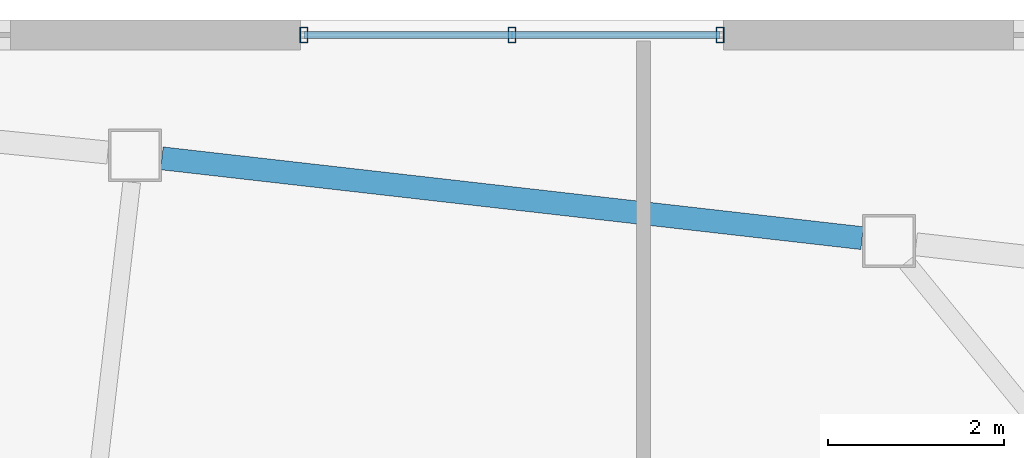
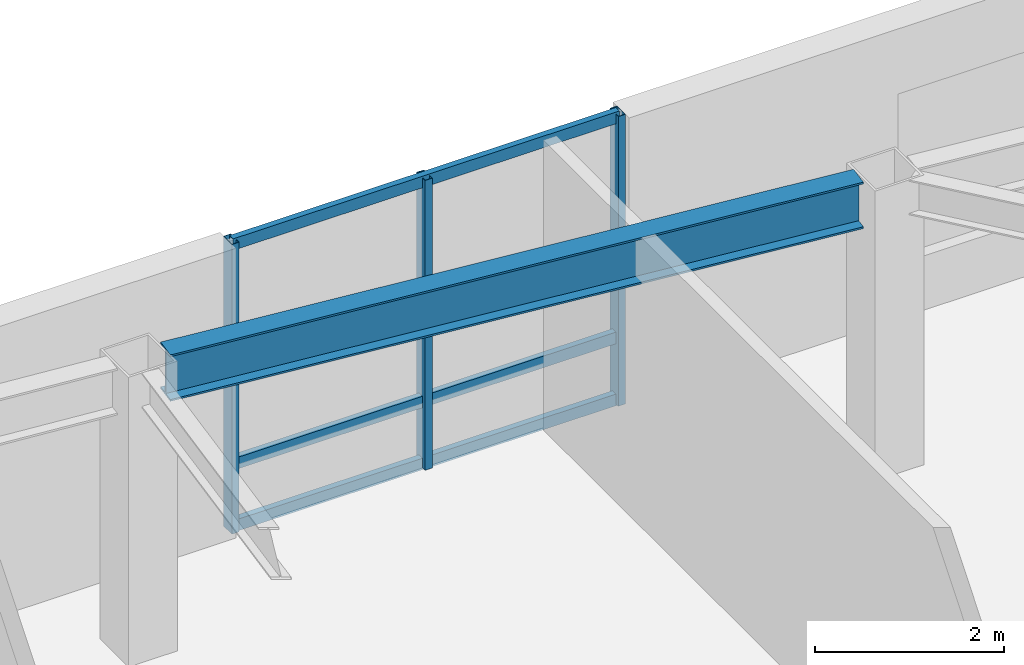
# One storey, part 8 of 18: 6 members, 1 beam, 1 element without a shape of its own.
"""IFC4 building model written with IfcOpenShell, lengths in metres."""

from ifc_helpers import new_model, si_unit, direction, frame, origin, origin_2d, place, context, subcontext, project, spatial, hollow_rectangle, i_section, extrude, material, layer, layer_set, material_profile, profile_set, type_object, element, aggregate, save


model = new_model("IFC4")

# Units and contexts
model_context = context("Model", 3, precision=1e-05, world=origin(), true_north=direction((0.0, 1.0)))
body_context = subcontext(model_context, "Body", "Model", "MODEL_VIEW")
ifc_project = project(units=[si_unit("LENGTHUNIT", "METRE"), si_unit("AREAUNIT", "SQUARE_METRE"), si_unit("VOLUMEUNIT", "CUBIC_METRE"), si_unit("PLANEANGLEUNIT", "RADIAN"), si_unit("MASSUNIT", "GRAM", prefix="KILO")], contexts=[model_context])

# Site, building, storey
site_placement = place(None, origin())
site = spatial("IfcSite", under=ifc_project, at=site_placement, CompositionType="ELEMENT")
building_placement = place(site_placement, origin())
building = spatial("IfcBuilding", under=site, at=building_placement, Name="Tavrogorsk Clinical Tower", CompositionType="ELEMENT")
storey_placement = place(building_placement, frame((0.0, 0.0, 196.199951171875)))
storey = spatial("IfcBuildingStorey", under=building, at=storey_placement, Name="L45", CompositionType="ELEMENT", Elevation=196.199951171875)

# Curtain wall, members
ifc_material_1 = material(Name="Anodised aluminium and triple IGU glazing", Category="aluminium")
ifc_layer = layer(ifc_material_1, 0.179931640625)
ifc_layer_set = layer_set([ifc_layer], Name="Anodised aluminium and triple IGU glazing")
curtain_wall_type = type_object("IfcCurtainWallType", Name="CW2_NorthSlot", PredefinedType="NOTDEFINED", material=ifc_layer_set)
curtain_wall_placement = place(storey_placement, origin())
curtain_wall = element("IfcCurtainWall", 1, at=curtain_wall_placement, inside=storey, type_object=curtain_wall_type, Name="L45 Curtain Wall CW-L45-N-SLOT-2", PredefinedType="NOTDEFINED")
ifc_material_2 = material(Name="Anodised aluminium alloy AW-6060", Category="aluminium")
ifc_material_profile_1 = material_profile(ifc_material_2, hollow_rectangle(XDim=0.090087890625, YDim=0.179931640625, WallThickness=0.00634765625, at=origin_2d()), Name="RHS-180x90x6.3")
ifc_profile_set_1 = profile_set([ifc_material_profile_1], Name="Anodised aluminium alloy AW-6060")
member_type_1 = type_object("IfcMemberType", Name="CwMullion_180x90", PredefinedType="MULLION", material=ifc_profile_set_1)
member_1_placement = place(storey_placement, frame((13.26904296875, 26.929931640625, 0.0), z_axis=(0.0, 0.0, 1.0), x_axis=(-1.0, 0.0, 0.0)))
member_1 = element("IfcMember", 2, at=member_1_placement, type_object=member_type_1, Name="CW-L45-N-SLOT-2 Mullion 1", PredefinedType="MULLION", context=body_context, shape_type="SweptSolid", body=[
    extrude(hollow_rectangle(XDim=0.090087890625, YDim=0.179931640625, WallThickness=0.00634765625, at=origin_2d()), origin(), (0.0, 0.0, 1.0), 3.739990234375),
])
member_2_placement = place(storey_placement, frame((10.91015625, 26.929931640625, 0.0), z_axis=(0.0, 0.0, 1.0), x_axis=(-1.0, 0.0, 0.0)))
member_2 = element("IfcMember", 3, at=member_2_placement, type_object=member_type_1, Name="CW-L45-N-SLOT-2 Mullion 2", PredefinedType="MULLION", context=body_context, shape_type="SweptSolid", body=[
    extrude(hollow_rectangle(XDim=0.090087890625, YDim=0.179931640625, WallThickness=0.00634765625, at=origin_2d()), origin(), (0.0, 0.0, 1.0), 3.739990234375),
])
member_3_placement = place(storey_placement, frame((8.551025390625, 26.929931640625, 0.0), z_axis=(0.0, 0.0, 1.0), x_axis=(-1.0, 0.0, 0.0)))
member_3 = element("IfcMember", 4, at=member_3_placement, type_object=member_type_1, Name="CW-L45-N-SLOT-2 Mullion 3", PredefinedType="MULLION", context=body_context, shape_type="SweptSolid", body=[
    extrude(hollow_rectangle(XDim=0.090087890625, YDim=0.179931640625, WallThickness=0.00634765625, at=origin_2d()), origin(), (0.0, 0.0, 1.0), 3.739990234375),
])
ifc_material_3 = material(Name="Anodised aluminium alloy AW-6060", Category="aluminium")
ifc_material_profile_2 = material_profile(ifc_material_3, hollow_rectangle(XDim=0.074951171875, YDim=0.14990234375, WallThickness=0.0048828125, at=origin_2d()), Name="RHS-150x75x5")
ifc_profile_set_2 = profile_set([ifc_material_profile_2], Name="Anodised aluminium alloy AW-6060")
member_type_2 = type_object("IfcMemberType", Name="CwTransom_150x75", PredefinedType="USERDEFINED", material=ifc_profile_set_2)
member_4_placement = place(storey_placement, frame((13.26904296875, 26.929931640625, 0.050048828125), z_axis=(-1.0, 0.0, 0.0), x_axis=(0.0, -1.0, 0.0)))
member_4 = element("IfcMember", 5, at=member_4_placement, type_object=member_type_2, Name="CW-L45-N-SLOT-2 Transom 1", ObjectType="TRANSOM", PredefinedType="USERDEFINED", context=body_context, shape_type="SweptSolid", body=[
    extrude(hollow_rectangle(XDim=0.074951171875, YDim=0.14990234375, WallThickness=0.0048828125, at=origin_2d()), origin(), (0.0, 0.0, 1.0), 4.718017578125),
])
member_5_placement = place(storey_placement, frame((13.26904296875, 26.929931640625, 0.85009765625), z_axis=(-1.0, 0.0, 0.0), x_axis=(0.0, -1.0, 0.0)))
member_5 = element("IfcMember", 6, at=member_5_placement, type_object=member_type_2, Name="CW-L45-N-SLOT-2 Transom 2", ObjectType="TRANSOM", PredefinedType="USERDEFINED", context=body_context, shape_type="SweptSolid", body=[
    extrude(hollow_rectangle(XDim=0.074951171875, YDim=0.14990234375, WallThickness=0.0048828125, at=origin_2d()), origin(), (0.0, 0.0, 1.0), 4.718017578125),
])
member_6_placement = place(storey_placement, frame((13.26904296875, 26.929931640625, 3.68994140625), z_axis=(-1.0, 0.0, 0.0), x_axis=(0.0, -1.0, 0.0)))
member_6 = element("IfcMember", 7, at=member_6_placement, type_object=member_type_2, Name="CW-L45-N-SLOT-2 Transom 3", ObjectType="TRANSOM", PredefinedType="USERDEFINED", context=body_context, shape_type="SweptSolid", body=[
    extrude(hollow_rectangle(XDim=0.074951171875, YDim=0.14990234375, WallThickness=0.0048828125, at=origin_2d()), origin(), (0.0, 0.0, 1.0), 4.718017578125),
])
aggregate(curtain_wall, [member_1, member_2, member_3, member_4, member_5, member_6])

# Beam
ifc_material_4 = material(Name="Structural steel S390", Category="steel")
ifc_material_profile_3 = material_profile(ifc_material_4, i_section(OverallWidth=0.260009765625, OverallDepth=0.60009765625, WebThickness=0.014892578125, FlangeThickness=0.02392578125, at=origin_2d()), Name="B-600x260x15x24")
ifc_profile_set_3 = profile_set([ifc_material_profile_3], Name="Structural steel S390")
beam_type = type_object("IfcBeamType", Name="SpandrelBeam_B600", PredefinedType="SPANDREL", material=ifc_profile_set_3)
beam_placement = place(storey_placement, frame((14.8798828125, 24.626953125, 3.43994140625), z_axis=(-0.993569449752, 0.113224328304, 0.0), x_axis=(-0.113224328304, -0.993569449752, 0.0)))
element("IfcBeam", 8, at=beam_placement, inside=storey, type_object=beam_type, Name="L45 Perimeter Spandrel N3-N4", PredefinedType="SPANDREL", context=body_context, shape_type="SweptSolid", body=[
    extrude(i_section(OverallWidth=0.260009765625, OverallDepth=0.60009765625, WebThickness=0.014892578125, FlangeThickness=0.02392578125, at=origin_2d()), origin(), (0.0, 0.0, 1.0), 7.990966796875),
])

save(model, "model.ifc")
